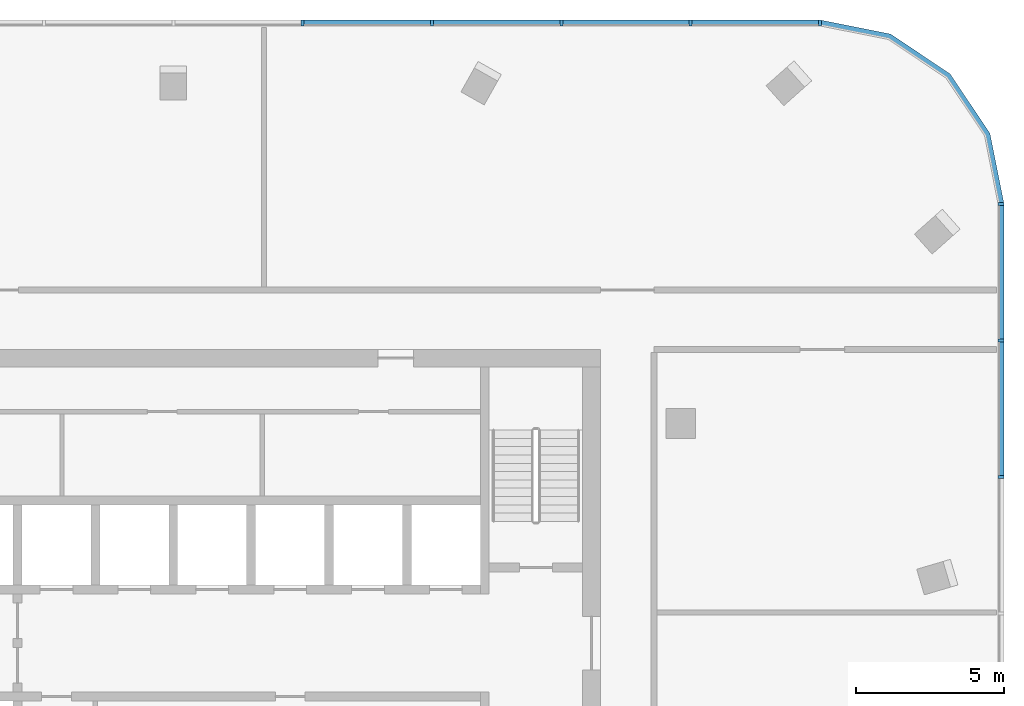
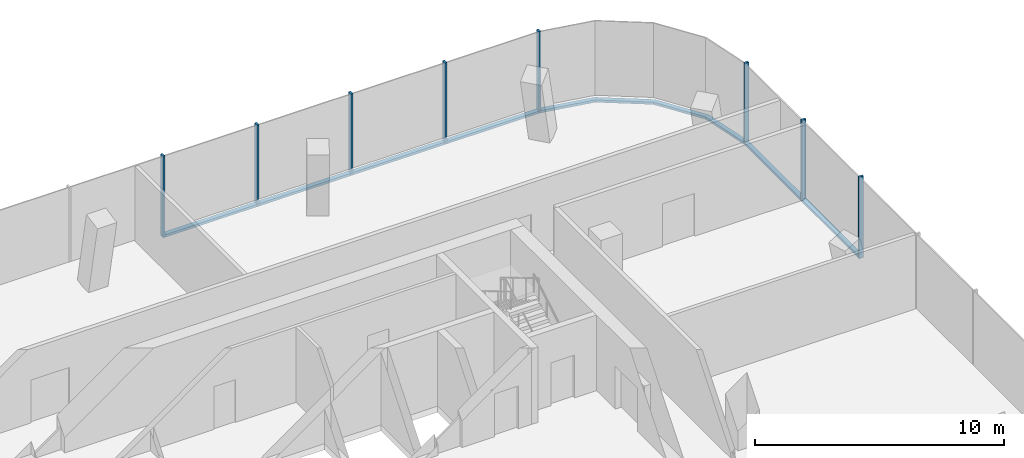
# One storey, part 5 of 10: 15 members, 3 elements without a shape of their own.
"""IFC4 building model written with IfcOpenShell, lengths in metres."""

import ifcopenshell
import ifcopenshell.guid

model = None  # the IFC model being written
_history = None  # IfcOwnerHistory: only IFC2X3 demands one
_inside = {}  # id of a spatial element -> (the spatial element, [elements in it])
_under = {}  # id of a project, library or spatial element -> (it, [spatial elements below it])
_declared = {}  # id of a project -> (the project, [libraries it declares])
_typed = {}  # id of a type object -> (the type object, [elements of that type])
_made_of = {}  # id of a material, layer set ... -> (it, [elements and type objects made of it])


def new_model(schema):
    """Start an empty IFC model of exactly this schema.

    Asked for "IFC4X3", IfcOpenShell would pick the latest addendum, in which some entities
    have other attributes; the version numbers below select the first issue.
    IFC2X3 requires an IfcOwnerHistory on every rooted entity: one is made here for all.
    """
    global model, _history
    if schema == "IFC4X3":
        model = ifcopenshell.file(schema_version=(4, 3, 0, 0))
    else:
        model = ifcopenshell.file(schema=schema)
    _inside.clear()
    _under.clear()
    _declared.clear()
    _typed.clear()
    _made_of.clear()
    _history = None
    if model.schema == "IFC2X3":
        org = make("IfcOrganization", Name="unknown")
        user = make(
            "IfcPersonAndOrganization",
            ThePerson=make("IfcPerson", FamilyName="unknown"),
            TheOrganization=org,
        )
        app = make(
            "IfcApplication",
            ApplicationDeveloper=org,
            Version="unknown",
            ApplicationFullName="unknown",
            ApplicationIdentifier="unknown",
        )
        _history = make(
            "IfcOwnerHistory",
            OwningUser=user,
            OwningApplication=app,
            ChangeAction="ADDED",
            CreationDate=0,
        )
    return model


def make(cls, **values):
    """One entity of the class cls with the attributes given. An attribute that is None is left unset."""
    return model.create_entity(
        cls, **{name: value for name, value in values.items() if value is not None}
    )


def rooted(cls, **values):
    """An entity with a GlobalId (a new one), such as an element, a storey or a relation."""
    return make(cls, GlobalId=ifcopenshell.guid.new(), OwnerHistory=_history, **values)


def si_unit(unit_type, name, prefix=None):
    """IfcSIUnit, for example si_unit("LENGTHUNIT", "METRE", prefix="MILLI")."""
    return make("IfcSIUnit", UnitType=unit_type, Prefix=prefix, Name=name)


def assignment(units):
    """IfcUnitAssignment: the units of a project."""
    return None if units is None else make("IfcUnitAssignment", Units=units)


def point(xyz):
    """IfcCartesianPoint."""
    return None if xyz is None else make("IfcCartesianPoint", Coordinates=xyz)


def direction(xyz):
    """IfcDirection."""
    return None if xyz is None else make("IfcDirection", DirectionRatios=xyz)


def frame(location, z_axis=None, x_axis=None):
    """IfcAxis2Placement3D, a coordinate frame: its origin and axes. An axis left out is left unset."""
    return make(
        "IfcAxis2Placement3D",
        Location=point(location),
        Axis=direction(z_axis),
        RefDirection=direction(x_axis),
    )


def frame_2d(location, x_axis=None):
    """IfcAxis2Placement2D, a coordinate frame in the plane: its origin and x axis."""
    return make(
        "IfcAxis2Placement2D", Location=point(location), RefDirection=direction(x_axis)
    )


def origin():
    """The frame at (0, 0, 0) with its axes left unset."""
    return frame((0.0, 0.0, 0.0))


def origin_2d():
    """The frame at (0, 0) in the plane with its x axis left unset."""
    return frame_2d((0.0, 0.0))


def place(relative_to, where):
    """IfcLocalPlacement: puts the frame where relative to a parent placement (None: the world)."""
    return make(
        "IfcLocalPlacement", PlacementRelTo=relative_to, RelativePlacement=where
    )


def context(
    kind, dimensions, precision=None, world=None, true_north=None, identifier=None
):
    """IfcGeometricRepresentationContext, for example the 3D "Model" context."""
    return make(
        "IfcGeometricRepresentationContext",
        ContextIdentifier=identifier,
        ContextType=kind,
        CoordinateSpaceDimension=dimensions,
        Precision=precision,
        WorldCoordinateSystem=world,
        TrueNorth=true_north,
    )


def subcontext(parent, identifier, kind, view, scale=None):
    """IfcGeometricRepresentationSubContext, for example "Body" below "Model"."""
    return make(
        "IfcGeometricRepresentationSubContext",
        ContextIdentifier=identifier,
        ContextType=kind,
        ParentContext=parent,
        TargetScale=scale,
        TargetView=view,
    )


def project(units=None, contexts=None):
    """IfcProject with its units and contexts."""
    return rooted(
        "IfcProject",
        Name="project",
        RepresentationContexts=contexts,
        UnitsInContext=assignment(units),
    )


def spatial(cls, under=None, at=None, **own):
    """A site, building, storey or space (cls), placed at a placement, below another one or the project."""
    s = rooted(cls, ObjectPlacement=at, **own)
    if under is not None:
        _under.setdefault(under.id(), (under, []))[1].append(s)
    return s


def polyline(points):
    """IfcPolyline through the points."""
    return make("IfcPolyline", Points=[point(p) for p in points])


def profile(cls, at=None, kind="AREA", **sizes):
    """A parametric profile (cls). Its sizes go by their IFC names, for example OverallWidth=200.0."""
    return make(cls, ProfileType=kind, Position=at, **sizes)


def rectangle(**sizes):
    """IfcRectangleProfileDef."""
    return profile("IfcRectangleProfileDef", **sizes)


def outline(outer, holes=None, kind="AREA"):
    """IfcArbitraryClosedProfileDef: a profile drawn as a closed curve; with holes, ...WithVoids."""
    if holes is None:
        return make("IfcArbitraryClosedProfileDef", ProfileType=kind, OuterCurve=outer)
    return make(
        "IfcArbitraryProfileDefWithVoids",
        ProfileType=kind,
        OuterCurve=outer,
        InnerCurves=holes,
    )


def extrude(swept, where, along, depth):
    """IfcExtrudedAreaSolid: the profile swept, set in the frame where, extruded along a direction by depth."""
    return make(
        "IfcExtrudedAreaSolid",
        SweptArea=swept,
        Position=where,
        ExtrudedDirection=direction(along),
        Depth=depth,
    )


def shape(context_of_items, identifier, shape_type, items):
    """IfcShapeRepresentation: the items that make up one representation, for example the "Body"."""
    return make(
        "IfcShapeRepresentation",
        ContextOfItems=context_of_items,
        RepresentationIdentifier=identifier,
        RepresentationType=shape_type,
        Items=items,
    )


def material(Name=None, Category=None):
    """IfcMaterial."""
    return make("IfcMaterial", Name=Name, Category=Category)


def material_profile(
    of_material, cross_section, Name=None, Category=None, Priority=None
):
    """IfcMaterialProfile: a cross section and its material."""
    return make(
        "IfcMaterialProfile",
        Name=Name,
        Material=of_material,
        Profile=cross_section,
        Priority=Priority,
        Category=Category,
    )


def profile_set(profiles, Name=None, composite=None):
    """IfcMaterialProfileSet."""
    return make(
        "IfcMaterialProfileSet",
        Name=Name,
        MaterialProfiles=profiles,
        CompositeProfile=composite,
    )


def made_of(thing, what):
    """Note that an element or type object is made of a material, layer set ...; save() writes the relation."""
    if what is not None:
        _made_of.setdefault(what.id(), (what, []))[1].append(thing)
    return thing


def type_object(cls, material=None, **own):
    """A type object (cls), such as IfcWallType, which elements share."""
    return made_of(rooted(cls, **own), material)


def element(
    cls,
    number,
    at=None,
    inside=None,
    cuts=None,
    type_object=None,
    material=None,
    context=None,
    identifier="Body",
    shape_type=None,
    held_by="IfcProductDefinitionShape",
    body=None,
    shapes=None,
    **own,
):
    """One element of the class cls, such as IfcWall. Its Tag is "e" and its number.

    at: its placement. inside: the storey or other place that contains it. cuts: it is an
    opening in that element (IfcRelVoidsElement). A single representation is given by context,
    identifier, shape_type and body (its items); several are given by shapes. held_by: the class
    of the entity that holds the representations. save() writes the other relations.
    """
    e = rooted(cls, Tag="e%d" % number, ObjectPlacement=at, **own)
    if body is not None:
        shapes = [shape(context, identifier, shape_type, body)]
    if shapes is not None:
        e.Representation = make(held_by, Representations=shapes)
    if inside is not None:
        _inside.setdefault(inside.id(), (inside, []))[1].append(e)
    if cuts is not None:
        rooted(
            "IfcRelVoidsElement", RelatingBuildingElement=cuts, RelatedOpeningElement=e
        )
    if type_object is not None:
        _typed.setdefault(type_object.id(), (type_object, []))[1].append(e)
    return made_of(e, material)


def aggregate(whole, parts):
    """IfcRelAggregates: a whole, such as a stair, and the parts it consists of."""
    return rooted("IfcRelAggregates", RelatingObject=whole, RelatedObjects=parts)


def save(model, path):
    """Write the relations noted so far, then the file.

    IfcRelAggregates (storeys below a building ...), IfcRelContainedInSpatialStructure (elements
    in a storey), IfcRelDefinesByType, IfcRelAssociatesMaterial and IfcRelDeclares: one each for
    every whole, place, type object, material and project.
    """
    for whole, parts in _under.values():
        aggregate(whole, parts)
    for where, things in _inside.values():
        rooted(
            "IfcRelContainedInSpatialStructure",
            RelatedElements=things,
            RelatingStructure=where,
        )
    for kind, things in _typed.values():
        rooted("IfcRelDefinesByType", RelatedObjects=things, RelatingType=kind)
    for what, things in _made_of.values():
        rooted("IfcRelAssociatesMaterial", RelatedObjects=things, RelatingMaterial=what)
    for by, libraries in _declared.values():
        rooted("IfcRelDeclares", RelatingContext=by, RelatedDefinitions=libraries)
    model.write(path)


model = new_model("IFC4")

# Units and contexts
model_context = context("Model", 3, precision=1e-05, world=origin(), true_north=direction((0.0, 1.0)))
body_context = subcontext(model_context, "Body", "Model", "MODEL_VIEW")
ifc_project = project(units=[si_unit("LENGTHUNIT", "METRE"), si_unit("AREAUNIT", "SQUARE_METRE"), si_unit("VOLUMEUNIT", "CUBIC_METRE"), si_unit("PLANEANGLEUNIT", "RADIAN"), si_unit("MASSUNIT", "GRAM", prefix="KILO")], contexts=[model_context])

# Site, building, storey
site_placement = place(None, origin())
site = spatial("IfcSite", under=ifc_project, at=site_placement, CompositionType="ELEMENT")
building_placement = place(site_placement, origin())
building = spatial("IfcBuilding", under=site, at=building_placement, Name="Mopane Tessera Tower", CompositionType="ELEMENT")
storey_placement = place(building_placement, frame((0.0, 0.0, 325.39990234375)))
storey = spatial("IfcBuildingStorey", under=building, at=storey_placement, Name="L71", CompositionType="ELEMENT", Elevation=325.39990234375)

# Curtain wall, members
ifc_material_1 = material(Name="Aluminium frame", Category="aluminium")
curtain_wall_type = type_object("IfcCurtainWallType", Name="Unitised curtain wall", PredefinedType="NOTDEFINED", material=ifc_material_1)
curtain_wall_1_placement = place(storey_placement, origin())
curtain_wall_1 = element("IfcCurtainWall", 1, at=curtain_wall_1_placement, inside=storey, type_object=curtain_wall_type, Name="e:cw:L71:E:0", PredefinedType="NOTDEFINED")
ifc_material_2 = material(Name="Aluminium frame", Category="aluminium")
ifc_material_profile_1 = material_profile(ifc_material_2, rectangle(XDim=0.10009765625, YDim=0.199951171875, at=origin_2d()))
ifc_profile_set_1 = profile_set([ifc_material_profile_1], Name="Aluminium frame")
member_type_1 = type_object("IfcMemberType", Name="Aluminium mullion 100 x 200", PredefinedType="MULLION", material=ifc_profile_set_1)
member_1_placement = place(storey_placement, frame((27.89990234375, 9.199951171875, -0.349853515625), z_axis=(0.0, 0.0, 1.0), x_axis=(0.0, 1.0, 0.0)))
member_1 = element("IfcMember", 2, at=member_1_placement, type_object=member_type_1, Name="e:cw:L71:E:0:mu6", PredefinedType="MULLION", context=body_context, shape_type="SweptSolid", body=[
    extrude(rectangle(XDim=0.10009765625, YDim=0.199951171875, at=origin_2d()), origin(), (0.0, 0.0, 1.0), 4.0),
])
member_2_placement = place(storey_placement, frame((27.89990234375, 13.800048828125, -0.349853515625), z_axis=(0.0, 0.0, 1.0), x_axis=(0.0, 1.0, 0.0)))
member_2 = element("IfcMember", 3, at=member_2_placement, type_object=member_type_1, Name="e:cw:L71:E:0:mu7", PredefinedType="MULLION", context=body_context, shape_type="SweptSolid", body=[
    extrude(rectangle(XDim=0.10009765625, YDim=0.199951171875, at=origin_2d()), origin(), (0.0, 0.0, 1.0), 4.0),
])
member_3_placement = place(storey_placement, frame((27.89990234375, 18.39990234375, -0.349853515625), z_axis=(0.0, 0.0, 1.0), x_axis=(0.0, 1.0, 0.0)))
member_3 = element("IfcMember", 4, at=member_3_placement, type_object=member_type_1, Name="e:cw:L71:E:0:mu8", PredefinedType="MULLION", context=body_context, shape_type="SweptSolid", body=[
    extrude(rectangle(XDim=0.10009765625, YDim=0.199951171875, at=origin_2d()), origin(), (0.0, 0.0, 1.0), 4.0),
])

curtain_wall_2_placement = place(storey_placement, origin())
curtain_wall_2 = element("IfcCurtainWall", 5, at=curtain_wall_2_placement, inside=storey, type_object=curtain_wall_type, Name="e:cw:L71:N:0", PredefinedType="NOTDEFINED")
member_4_placement = place(storey_placement, frame((21.800048828125, 24.5, -0.349853515625), z_axis=(0.0, 0.0, 1.0), x_axis=(-1.0, 0.0, 0.0)))
member_4 = element("IfcMember", 6, at=member_4_placement, type_object=member_type_1, Name="e:cw:L71:N:0:mu0", PredefinedType="MULLION", context=body_context, shape_type="SweptSolid", body=[
    extrude(rectangle(XDim=0.10009765625, YDim=0.199951171875, at=origin_2d()), origin(), (0.0, 0.0, 1.0), 4.0),
])
member_5_placement = place(storey_placement, frame((17.43994140625, 24.5, -0.349853515625), z_axis=(0.0, 0.0, 1.0), x_axis=(-1.0, 0.0, 0.0)))
member_5 = element("IfcMember", 7, at=member_5_placement, type_object=member_type_1, Name="e:cw:L71:N:0:mu1", PredefinedType="MULLION", context=body_context, shape_type="SweptSolid", body=[
    extrude(rectangle(XDim=0.10009765625, YDim=0.199951171875, at=origin_2d()), origin(), (0.0, 0.0, 1.0), 4.0),
])
member_6_placement = place(storey_placement, frame((13.080078125, 24.5, -0.349853515625), z_axis=(0.0, 0.0, 1.0), x_axis=(-1.0, 0.0, 0.0)))
member_6 = element("IfcMember", 8, at=member_6_placement, type_object=member_type_1, Name="e:cw:L71:N:0:mu2", PredefinedType="MULLION", context=body_context, shape_type="SweptSolid", body=[
    extrude(rectangle(XDim=0.10009765625, YDim=0.199951171875, at=origin_2d()), origin(), (0.0, 0.0, 1.0), 4.0),
])
member_7_placement = place(storey_placement, frame((8.719970703125, 24.5, -0.349853515625), z_axis=(0.0, 0.0, 1.0), x_axis=(-1.0, 0.0, 0.0)))
member_7 = element("IfcMember", 9, at=member_7_placement, type_object=member_type_1, Name="e:cw:L71:N:0:mu3", PredefinedType="MULLION", context=body_context, shape_type="SweptSolid", body=[
    extrude(rectangle(XDim=0.10009765625, YDim=0.199951171875, at=origin_2d()), origin(), (0.0, 0.0, 1.0), 4.0),
])
member_8_placement = place(storey_placement, frame((4.360107421875, 24.5, -0.349853515625), z_axis=(0.0, 0.0, 1.0), x_axis=(-1.0, 0.0, 0.0)))
member_8 = element("IfcMember", 10, at=member_8_placement, type_object=member_type_1, Name="e:cw:L71:N:0:mu4", PredefinedType="MULLION", context=body_context, shape_type="SweptSolid", body=[
    extrude(rectangle(XDim=0.10009765625, YDim=0.199951171875, at=origin_2d()), origin(), (0.0, 0.0, 1.0), 4.0),
])

# Member
ifc_material_3 = material(Name="Aluminium frame", Category="aluminium")
ifc_material_profile_2 = material_profile(ifc_material_3, rectangle(XDim=0.199951171875, YDim=0.1201171875, at=origin_2d()))
ifc_profile_set_2 = profile_set([ifc_material_profile_2], Name="Aluminium frame")
member_type_2 = type_object("IfcMemberType", Name="Aluminium transom 200 x 120", PredefinedType="USERDEFINED", material=ifc_profile_set_2)
member_9_placement = place(storey_placement, frame((27.89990234375, 9.25, -0.289794921875), z_axis=(0.0, 1.0, 0.0), x_axis=(-1.0, 0.0, 0.0)))
member_9 = element("IfcMember", 11, at=member_9_placement, type_object=member_type_2, Name="e:cw:L71:E:0:tr6", ObjectType="TRANSOM", PredefinedType="USERDEFINED", context=body_context, shape_type="SweptSolid", body=[
    extrude(rectangle(XDim=0.199951171875, YDim=0.1201171875, at=origin_2d()), origin(), (0.0, 0.0, 1.0), 4.5),
])

member_10_placement = place(storey_placement, frame((27.89990234375, 13.85009765625, -0.289794921875), z_axis=(0.0, 1.0, 0.0), x_axis=(-1.0, 0.0, 0.0)))
member_10 = element("IfcMember", 12, at=member_10_placement, type_object=member_type_2, Name="e:cw:L71:E:0:tr7", ObjectType="TRANSOM", PredefinedType="USERDEFINED", context=body_context, shape_type="SweptSolid", body=[
    extrude(rectangle(XDim=0.199951171875, YDim=0.1201171875, at=origin_2d()), origin(), (0.0, 0.0, 1.0), 4.5),
])

aggregate(curtain_wall_1, [member_1, member_2, member_3, member_9, member_10])

# Curtain wall, member
curtain_wall_3_placement = place(storey_placement, origin())
curtain_wall_3 = element("IfcCurtainWall", 13, at=curtain_wall_3_placement, inside=storey, type_object=curtain_wall_type, Name="e:cw:L71:CE", PredefinedType="NOTDEFINED")
member_11_placement = place(storey_placement, frame((0.0, 0.0, -0.349853515625)))
member_11 = element("IfcMember", 14, at=member_11_placement, type_object=member_type_2, Name="e:cw:L71:CE:tr", ObjectType="TRANSOM", PredefinedType="USERDEFINED", context=body_context, shape_type="SweptSolid", body=[
    extrude(outline(polyline([(27.800048828125, 18.39990234375), (27.34326171875, 20.696044921875), (26.042724609375, 22.642578125), (24.09619140625, 23.943359375), (21.800048828125, 24.39990234375), (21.800048828125, 24.60009765625), (24.172607421875, 24.128173828125), (26.18408203125, 22.7841796875), (27.528076171875, 20.772705078125), (28.0, 18.39990234375), (27.800048828125, 18.39990234375)])), origin(), (0.0, 0.0, 1.0), 0.119873046875),
])
aggregate(curtain_wall_3, [member_11])

# Member
member_12_placement = place(storey_placement, frame((21.75, 24.5, -0.289794921875), z_axis=(-1.0, 0.0, 0.0), x_axis=(0.0, -1.0, 0.0)))
member_12 = element("IfcMember", 15, at=member_12_placement, type_object=member_type_2, Name="e:cw:L71:N:0:tr0", ObjectType="TRANSOM", PredefinedType="USERDEFINED", context=body_context, shape_type="SweptSolid", body=[
    extrude(rectangle(XDim=0.199951171875, YDim=0.1201171875, at=origin_2d()), origin(), (0.0, 0.0, 1.0), 4.260009765625),
])

member_13_placement = place(storey_placement, frame((17.389892578125, 24.5, -0.289794921875), z_axis=(-1.0, 0.0, 0.0), x_axis=(0.0, -1.0, 0.0)))
member_13 = element("IfcMember", 16, at=member_13_placement, type_object=member_type_2, Name="e:cw:L71:N:0:tr1", ObjectType="TRANSOM", PredefinedType="USERDEFINED", context=body_context, shape_type="SweptSolid", body=[
    extrude(rectangle(XDim=0.199951171875, YDim=0.1201171875, at=origin_2d()), origin(), (0.0, 0.0, 1.0), 4.260009765625),
])

member_14_placement = place(storey_placement, frame((13.030029296875, 24.5, -0.289794921875), z_axis=(-1.0, 0.0, 0.0), x_axis=(0.0, -1.0, 0.0)))
member_14 = element("IfcMember", 17, at=member_14_placement, type_object=member_type_2, Name="e:cw:L71:N:0:tr2", ObjectType="TRANSOM", PredefinedType="USERDEFINED", context=body_context, shape_type="SweptSolid", body=[
    extrude(rectangle(XDim=0.199951171875, YDim=0.1201171875, at=origin_2d()), origin(), (0.0, 0.0, 1.0), 4.260009765625),
])

member_15_placement = place(storey_placement, frame((8.669921875, 24.5, -0.289794921875), z_axis=(-1.0, 0.0, 0.0), x_axis=(0.0, -1.0, 0.0)))
member_15 = element("IfcMember", 18, at=member_15_placement, type_object=member_type_2, Name="e:cw:L71:N:0:tr3", ObjectType="TRANSOM", PredefinedType="USERDEFINED", context=body_context, shape_type="SweptSolid", body=[
    extrude(rectangle(XDim=0.199951171875, YDim=0.1201171875, at=origin_2d()), origin(), (0.0, 0.0, 1.0), 4.260009765625),
])

aggregate(curtain_wall_2, [member_4, member_5, member_6, member_7, member_8, member_12, member_13, member_14, member_15])

save(model, "model.ifc")
